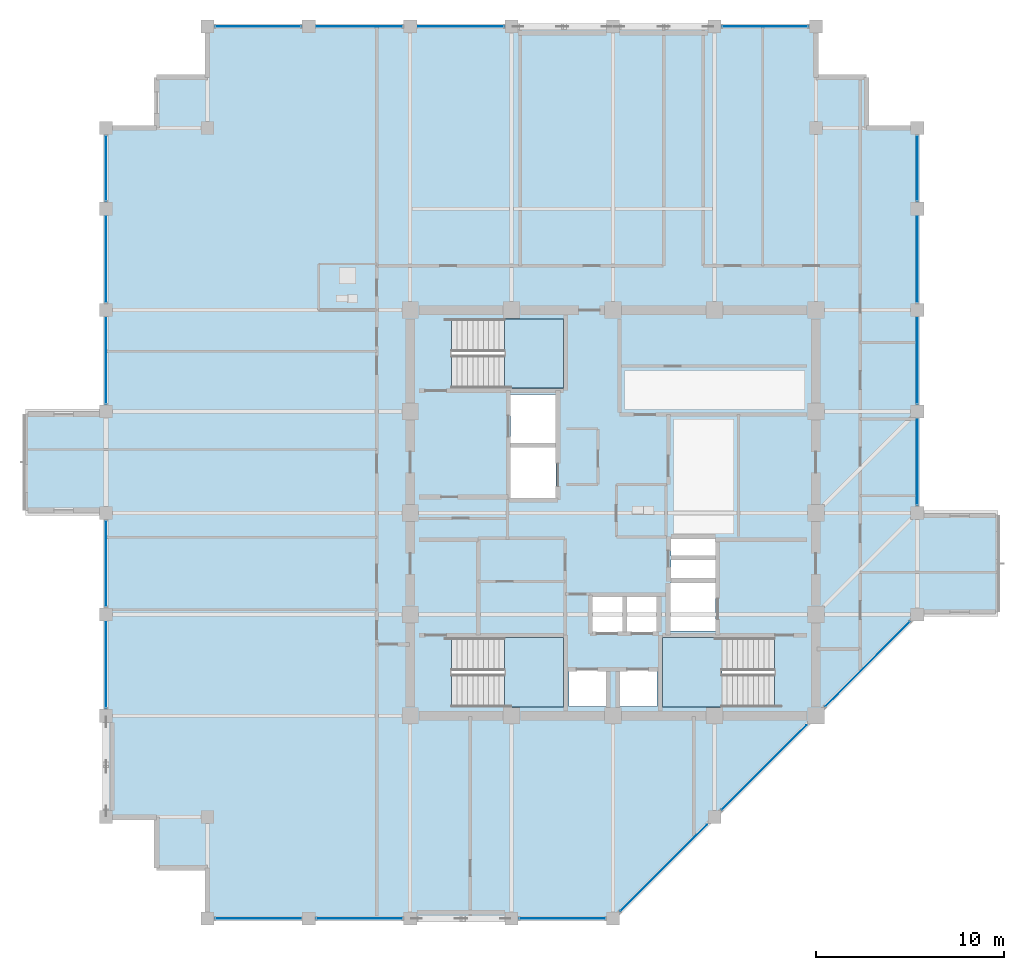
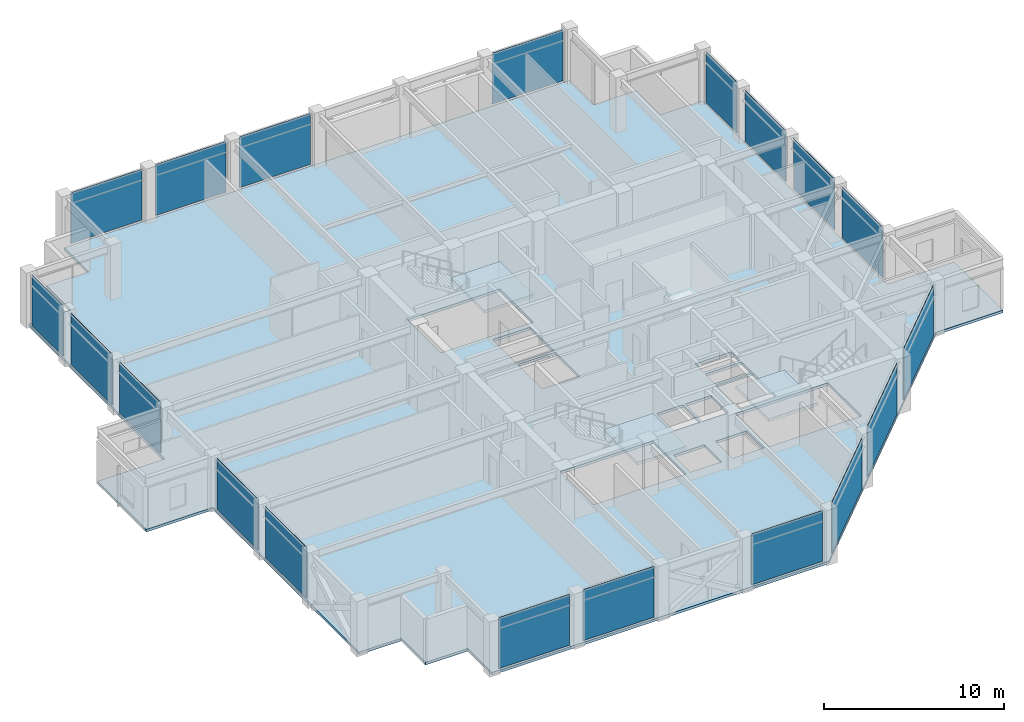
# One storey, part 22 of 31: 19 plates, 4 slabs, 11 elements without a shape of their own.
"""IFC4 building model written with IfcOpenShell, lengths in metres."""

from ifc_helpers import new_model, si_unit, direction, frame, frame_2d, origin, place, context, subcontext, project, spatial, polyline, rectangle, outline, extrude, material, layer, layer_set, type_object, element, aggregate, save


model = new_model("IFC4")

# Units and contexts
model_context = context("Model", 3, precision=1e-05, world=origin(), true_north=direction((0.0, 1.0)))
body_context = subcontext(model_context, "Body", "Model", "MODEL_VIEW")
ifc_project = project(units=[si_unit("LENGTHUNIT", "METRE"), si_unit("AREAUNIT", "SQUARE_METRE"), si_unit("VOLUMEUNIT", "CUBIC_METRE"), si_unit("PLANEANGLEUNIT", "RADIAN"), si_unit("MASSUNIT", "GRAM", prefix="KILO")], contexts=[model_context])

# Site, building, storey
site_placement = place(None, origin())
site = spatial("IfcSite", under=ifc_project, at=site_placement, CompositionType="ELEMENT")
building_placement = place(site_placement, origin())
building = spatial("IfcBuilding", under=site, at=building_placement, Name="Surkhivell Harbour Commons", CompositionType="ELEMENT")
storey_placement = place(building_placement, frame((0.0, 0.0, 318.75)))
storey = spatial("IfcBuildingStorey", under=building, at=storey_placement, Name="L83", CompositionType="ELEMENT", Elevation=318.75)

# Curtain wall, plates
ifc_material_1 = material(Name="Anodised pale-metal aluminium and insulated glazing", Category="aluminium")
ifc_layer_1 = layer(ifc_material_1, 0.175048828125)
ifc_layer_set_1 = layer_set([ifc_layer_1], Name="Anodised pale-metal aluminium and insulated glazing")
curtain_wall_type = type_object("IfcCurtainWallType", Name="CW-SYS-Z4", PredefinedType="NOTDEFINED", material=ifc_layer_set_1)
curtain_wall_1_placement = place(storey_placement, origin())
curtain_wall_1 = element("IfcCurtainWall", 1, at=curtain_wall_1_placement, inside=storey, type_object=curtain_wall_type, Name="L83 Curtain Wall CW-L83-E00S1", PredefinedType="NOTDEFINED")
ifc_material_2 = material(Name="Double-silver low-E laminated vision glass", Category="glass")
ifc_layer_2 = layer(ifc_material_2, 0.031982421875)
ifc_layer_set_2 = layer_set([ifc_layer_2], Name="Double-silver low-E laminated vision glass")
plate_type = type_object("IfcPlateType", Name="CWP-GLZ-32", PredefinedType="CURTAIN_PANEL", material=ifc_layer_set_2)
plate_1_placement = place(storey_placement, frame((-21.173095703125, -21.60009765625, 0.1298828125), z_axis=(0.0, 0.0, 1.0), x_axis=(1.0, 0.0, 0.0)))
plate_1 = element("IfcPlate", 2, at=plate_1_placement, type_object=plate_type, Name="CW-Z4 panel 1.1", PredefinedType="CURTAIN_PANEL", context=body_context, shape_type="SweptSolid", body=[
    extrude(rectangle(XDim=4.546142578125, YDim=0.031982421875, at=frame_2d((2.27294921875, 0.0))), origin(), (0.0, 0.0, 1.0), 3.440185546875),
])
plate_2_placement = place(storey_placement, frame((-15.77294921875, -21.60009765625, 0.1298828125), z_axis=(0.0, 0.0, 1.0), x_axis=(1.0, 0.0, 0.0)))
plate_2 = element("IfcPlate", 3, at=plate_2_placement, type_object=plate_type, Name="CW-Z4 panel 2.1", PredefinedType="CURTAIN_PANEL", context=body_context, shape_type="SweptSolid", body=[
    extrude(rectangle(XDim=4.5458984375, YDim=0.031982421875, at=frame_2d((2.27294921875, 0.0))), origin(), (0.0, 0.0, 1.0), 3.440185546875),
])
aggregate(curtain_wall_1, [plate_1, plate_2])

# Curtain wall, plate
curtain_wall_2_placement = place(storey_placement, origin())
curtain_wall_2 = element("IfcCurtainWall", 4, at=curtain_wall_2_placement, inside=storey, type_object=curtain_wall_type, Name="L83 Curtain Wall CW-L83-E00S2", PredefinedType="NOTDEFINED")
plate_3_placement = place(storey_placement, frame((-4.972900390625, -21.60009765625, 0.1298828125), z_axis=(0.0, 0.0, 1.0), x_axis=(1.0, 0.0, 0.0)))
plate_3 = element("IfcPlate", 5, at=plate_3_placement, type_object=plate_type, Name="CW-Z4 panel 1.1", PredefinedType="CURTAIN_PANEL", context=body_context, shape_type="SweptSolid", body=[
    extrude(rectangle(XDim=4.5458984375, YDim=0.031982421875, at=frame_2d((2.27294921875, 0.0))), origin(), (0.0, 0.0, 1.0), 3.440185546875),
])
aggregate(curtain_wall_2, [plate_3])

# Curtain wall, plates
curtain_wall_3_placement = place(storey_placement, origin())
curtain_wall_3 = element("IfcCurtainWall", 6, at=curtain_wall_3_placement, inside=storey, type_object=curtain_wall_type, Name="L83 Curtain Wall CW-L83-E01", PredefinedType="NOTDEFINED")
plate_4_placement = place(storey_placement, frame((0.404541015625, -21.1953125, 0.1298828125), z_axis=(0.0, 0.0, 1.0), x_axis=(0.707125583467, 0.707087978406, 0.0)))
plate_4 = element("IfcPlate", 7, at=plate_4_placement, type_object=plate_type, Name="CW-Z4 panel 1.1", PredefinedType="CURTAIN_PANEL", context=body_context, shape_type="SweptSolid", body=[
    extrude(rectangle(XDim=6.4921875, YDim=0.031982421875, at=frame_2d((3.24609375, 0.0))), origin(), (0.0, 0.0, 1.0), 3.440185546875),
])
plate_5_placement = place(storey_placement, frame((5.8046875, -15.79541015625, 0.1298828125), z_axis=(0.0, 0.0, 1.0), x_axis=(0.707106781187, 0.707106781187, 0.0)))
plate_5 = element("IfcPlate", 8, at=plate_5_placement, type_object=plate_type, Name="CW-Z4 panel 2.1", PredefinedType="CURTAIN_PANEL", context=body_context, shape_type="SweptSolid", body=[
    extrude(rectangle(XDim=6.350830078125, YDim=0.031982421875, at=frame_2d((3.17529296875, 0.0))), origin(), (0.0, 0.0, 1.0), 3.440185546875),
])
plate_6_placement = place(storey_placement, frame((11.3046875, -10.29541015625, 0.1298828125), z_axis=(0.0, 0.0, 1.0), x_axis=(0.707106781187, 0.707106781187, 0.0)))
plate_6 = element("IfcPlate", 9, at=plate_6_placement, type_object=plate_type, Name="CW-Z4 panel 3.1", PredefinedType="CURTAIN_PANEL", context=body_context, shape_type="SweptSolid", body=[
    extrude(rectangle(XDim=6.350830078125, YDim=0.031982421875, at=frame_2d((3.17529296875, 0.0))), origin(), (0.0, 0.0, 1.0), 3.440185546875),
])
aggregate(curtain_wall_3, [plate_4, plate_5, plate_6])

curtain_wall_4_placement = place(storey_placement, origin())
curtain_wall_4 = element("IfcCurtainWall", 10, at=curtain_wall_4_placement, inside=storey, type_object=curtain_wall_type, Name="L83 Curtain Wall CW-L83-E02R1", PredefinedType="NOTDEFINED")
plate_7_placement = place(storey_placement, frame((16.199951171875, 0.427001953125, 0.1298828125), z_axis=(0.0, 0.0, 1.0), x_axis=(0.0, 1.0, 0.0)))
plate_7 = element("IfcPlate", 11, at=plate_7_placement, type_object=plate_type, Name="CW-Z4 panel 1.1", PredefinedType="CURTAIN_PANEL", context=body_context, shape_type="SweptSolid", body=[
    extrude(rectangle(XDim=4.5458984375, YDim=0.031982421875, at=frame_2d((2.27294921875, 0.0))), origin(), (0.0, 0.0, 1.0), 3.440185546875),
])
plate_8_placement = place(storey_placement, frame((16.199951171875, 5.826904296875, 0.1298828125), z_axis=(0.0, 0.0, 1.0), x_axis=(0.0, 1.0, 0.0)))
plate_8 = element("IfcPlate", 12, at=plate_8_placement, type_object=plate_type, Name="CW-Z4 panel 2.1", PredefinedType="CURTAIN_PANEL", context=body_context, shape_type="SweptSolid", body=[
    extrude(rectangle(XDim=4.546142578125, YDim=0.031982421875, at=frame_2d((2.27294921875, 0.0))), origin(), (0.0, 0.0, 1.0), 3.440185546875),
])
plate_9_placement = place(storey_placement, frame((16.199951171875, 11.22705078125, 0.1298828125), z_axis=(0.0, 0.0, 1.0), x_axis=(0.0, 1.0, 0.0)))
plate_9 = element("IfcPlate", 13, at=plate_9_placement, type_object=plate_type, Name="CW-Z4 panel 3.1", PredefinedType="CURTAIN_PANEL", context=body_context, shape_type="SweptSolid", body=[
    extrude(rectangle(XDim=4.5458984375, YDim=0.031982421875, at=frame_2d((2.27294921875, 0.0))), origin(), (0.0, 0.0, 1.0), 3.440185546875),
])
plate_10_placement = place(storey_placement, frame((16.199951171875, 16.626953125, 0.1298828125), z_axis=(0.0, 0.0, 1.0), x_axis=(0.0, 1.0, 0.0)))
plate_10 = element("IfcPlate", 14, at=plate_10_placement, type_object=plate_type, Name="CW-Z4 panel 4.1", PredefinedType="CURTAIN_PANEL", context=body_context, shape_type="SweptSolid", body=[
    extrude(rectangle(XDim=3.446044921875, YDim=0.031982421875, at=frame_2d((1.72314453125, 0.0))), origin(), (0.0, 0.0, 1.0), 3.440185546875),
])
aggregate(curtain_wall_4, [plate_7, plate_8, plate_9, plate_10])

# Curtain wall, plate
curtain_wall_5_placement = place(storey_placement, origin())
curtain_wall_5 = element("IfcCurtainWall", 15, at=curtain_wall_5_placement, inside=storey, type_object=curtain_wall_type, Name="L83 Curtain Wall CW-L83-E07S1", PredefinedType="NOTDEFINED")
plate_11_placement = place(storey_placement, frame((10.373046875, 25.89990234375, 0.1298828125), z_axis=(0.0, 0.0, 1.0), x_axis=(-1.0, 0.0, 0.0)))
plate_11 = element("IfcPlate", 16, at=plate_11_placement, type_object=plate_type, Name="CW-Z4 panel 1.1", PredefinedType="CURTAIN_PANEL", context=body_context, shape_type="SweptSolid", body=[
    extrude(rectangle(XDim=4.546142578125, YDim=0.031982421875, at=frame_2d((2.27294921875, 0.0))), origin(), (0.0, 0.0, 1.0), 3.440185546875),
])
aggregate(curtain_wall_5, [plate_11])

# Curtain wall, plates
curtain_wall_6_placement = place(storey_placement, origin())
curtain_wall_6 = element("IfcCurtainWall", 17, at=curtain_wall_6_placement, inside=storey, type_object=curtain_wall_type, Name="L83 Curtain Wall CW-L83-E07S2", PredefinedType="NOTDEFINED")
plate_12_placement = place(storey_placement, frame((-5.826904296875, 25.89990234375, 0.1298828125), z_axis=(0.0, 0.0, 1.0), x_axis=(-1.0, 0.0, 0.0)))
plate_12 = element("IfcPlate", 18, at=plate_12_placement, type_object=plate_type, Name="CW-Z4 panel 1.1", PredefinedType="CURTAIN_PANEL", context=body_context, shape_type="SweptSolid", body=[
    extrude(rectangle(XDim=4.546142578125, YDim=0.031982421875, at=frame_2d((2.27294921875, 0.0))), origin(), (0.0, 0.0, 1.0), 3.440185546875),
])
plate_13_placement = place(storey_placement, frame((-11.22705078125, 25.89990234375, 0.1298828125), z_axis=(0.0, 0.0, 1.0), x_axis=(-1.0, 0.0, 0.0)))
plate_13 = element("IfcPlate", 19, at=plate_13_placement, type_object=plate_type, Name="CW-Z4 panel 2.1", PredefinedType="CURTAIN_PANEL", context=body_context, shape_type="SweptSolid", body=[
    extrude(rectangle(XDim=4.5458984375, YDim=0.031982421875, at=frame_2d((2.27294921875, 0.0))), origin(), (0.0, 0.0, 1.0), 3.440185546875),
])
plate_14_placement = place(storey_placement, frame((-16.626953125, 25.89990234375, 0.1298828125), z_axis=(0.0, 0.0, 1.0), x_axis=(-1.0, 0.0, 0.0)))
plate_14 = element("IfcPlate", 20, at=plate_14_placement, type_object=plate_type, Name="CW-Z4 panel 3.1", PredefinedType="CURTAIN_PANEL", context=body_context, shape_type="SweptSolid", body=[
    extrude(rectangle(XDim=4.546142578125, YDim=0.031982421875, at=frame_2d((2.27294921875, 0.0))), origin(), (0.0, 0.0, 1.0), 3.440185546875),
])
aggregate(curtain_wall_6, [plate_12, plate_13, plate_14])

curtain_wall_7_placement = place(storey_placement, origin())
curtain_wall_7 = element("IfcCurtainWall", 21, at=curtain_wall_7_placement, inside=storey, type_object=curtain_wall_type, Name="L83 Curtain Wall CW-L83-E12R1S1", PredefinedType="NOTDEFINED")
plate_15_placement = place(storey_placement, frame((-27.0, -10.373046875, 0.1298828125), z_axis=(0.0, 0.0, 1.0), x_axis=(0.0, 1.0, 0.0)))
plate_15 = element("IfcPlate", 22, at=plate_15_placement, type_object=plate_type, Name="CW-Z4 panel 1.1", PredefinedType="CURTAIN_PANEL", context=body_context, shape_type="SweptSolid", body=[
    extrude(rectangle(XDim=4.546142578125, YDim=0.031982421875, at=frame_2d((2.27294921875, 0.0))), origin(), (0.0, 0.0, 1.0), 3.440185546875),
])
plate_16_placement = place(storey_placement, frame((-27.0, -4.972900390625, 0.1298828125), z_axis=(0.0, 0.0, 1.0), x_axis=(0.0, 1.0, 0.0)))
plate_16 = element("IfcPlate", 23, at=plate_16_placement, type_object=plate_type, Name="CW-Z4 panel 2.1", PredefinedType="CURTAIN_PANEL", context=body_context, shape_type="SweptSolid", body=[
    extrude(rectangle(XDim=4.5458984375, YDim=0.031982421875, at=frame_2d((2.27294921875, 0.0))), origin(), (0.0, 0.0, 1.0), 3.440185546875),
])
aggregate(curtain_wall_7, [plate_15, plate_16])

curtain_wall_8_placement = place(storey_placement, origin())
curtain_wall_8 = element("IfcCurtainWall", 24, at=curtain_wall_8_placement, inside=storey, type_object=curtain_wall_type, Name="L83 Curtain Wall CW-L83-E12R2", PredefinedType="NOTDEFINED")
plate_17_placement = place(storey_placement, frame((-27.0, 5.826904296875, 0.1298828125), z_axis=(0.0, 0.0, 1.0), x_axis=(0.0, 1.0, 0.0)))
plate_17 = element("IfcPlate", 25, at=plate_17_placement, type_object=plate_type, Name="CW-Z4 panel 1.1", PredefinedType="CURTAIN_PANEL", context=body_context, shape_type="SweptSolid", body=[
    extrude(rectangle(XDim=4.546142578125, YDim=0.031982421875, at=frame_2d((2.27294921875, 0.0))), origin(), (0.0, 0.0, 1.0), 3.440185546875),
])
plate_18_placement = place(storey_placement, frame((-27.0, 11.22705078125, 0.1298828125), z_axis=(0.0, 0.0, 1.0), x_axis=(0.0, 1.0, 0.0)))
plate_18 = element("IfcPlate", 26, at=plate_18_placement, type_object=plate_type, Name="CW-Z4 panel 2.1", PredefinedType="CURTAIN_PANEL", context=body_context, shape_type="SweptSolid", body=[
    extrude(rectangle(XDim=4.5458984375, YDim=0.031982421875, at=frame_2d((2.27294921875, 0.0))), origin(), (0.0, 0.0, 1.0), 3.440185546875),
])
plate_19_placement = place(storey_placement, frame((-27.0, 16.626953125, 0.1298828125), z_axis=(0.0, 0.0, 1.0), x_axis=(0.0, 1.0, 0.0)))
plate_19 = element("IfcPlate", 27, at=plate_19_placement, type_object=plate_type, Name="CW-Z4 panel 3.1", PredefinedType="CURTAIN_PANEL", context=body_context, shape_type="SweptSolid", body=[
    extrude(rectangle(XDim=3.446044921875, YDim=0.031982421875, at=frame_2d((1.72314453125, 0.0))), origin(), (0.0, 0.0, 1.0), 3.440185546875),
])
aggregate(curtain_wall_8, [plate_17, plate_18, plate_19])

# Stair, slab
ifc_material_3 = material(Name="Precast concrete C45/55", Category="concrete")
stair_type = type_object("IfcStairType", Name="STR-DL-375", PredefinedType="HALF_TURN_STAIR", material=ifc_material_3)
stair_1_placement = place(storey_placement, origin())
stair_1 = element("IfcStair", 28, at=stair_1_placement, inside=storey, type_object=stair_type, Name="L83 Core Exit Stair ST1", PredefinedType="HALF_TURN_STAIR")
ifc_material_4 = material(Name="Reinforced concrete C45/55", Category="concrete")
ifc_layer_3 = layer(ifc_material_4, 0.199951171875)
ifc_layer_set_3 = layer_set([ifc_layer_3], Name="Reinforced concrete C45/55")
slab_type_1 = type_object("IfcSlabType", Name="SLB-ST-LND200", PredefinedType="LANDING", material=ifc_layer_set_3)
slab_1_placement = place(storey_placement, frame((0.0, 0.0, 1.675048828125)))
slab_1 = element("IfcSlab", 29, at=slab_1_placement, type_object=slab_type_1, Name="ST1 landing 1", PredefinedType="LANDING", context=body_context, shape_type="SweptSolid", body=[
    extrude(outline(polyline([(-5.7900390625, 6.639892578125), (-2.639892578125, 6.639892578125), (-2.639892578125, 10.340087890625), (-5.7900390625, 10.340087890625), (-5.7900390625, 6.639892578125)])), origin(), (0.0, 0.0, 1.0), 0.199951171875),
])
aggregate(stair_1, [slab_1])

stair_2_placement = place(storey_placement, origin())
stair_2 = element("IfcStair", 30, at=stair_2_placement, inside=storey, type_object=stair_type, Name="L83 Core Exit Stair ST2", PredefinedType="HALF_TURN_STAIR")
slab_2_placement = place(storey_placement, frame((0.0, 0.0, 1.675048828125)))
slab_2 = element("IfcSlab", 31, at=slab_2_placement, type_object=slab_type_1, Name="ST2 landing 1", PredefinedType="LANDING", context=body_context, shape_type="SweptSolid", body=[
    extrude(outline(polyline([(5.7900390625, -6.639892578125), (2.639892578125, -6.639892578125), (2.639892578125, -10.340087890625), (5.7900390625, -10.340087890625), (5.7900390625, -6.639892578125)])), origin(), (0.0, 0.0, 1.0), 0.199951171875),
])
aggregate(stair_2, [slab_2])

stair_3_placement = place(storey_placement, origin())
stair_3 = element("IfcStair", 32, at=stair_3_placement, inside=storey, type_object=stair_type, Name="L83 Core Exit Stair ST3", PredefinedType="HALF_TURN_STAIR")
slab_3_placement = place(storey_placement, frame((0.0, 0.0, 1.675048828125)))
slab_3 = element("IfcSlab", 33, at=slab_3_placement, type_object=slab_type_1, Name="ST3 landing 1", PredefinedType="LANDING", context=body_context, shape_type="SweptSolid", body=[
    extrude(outline(polyline([(-5.7900390625, -10.340087890625), (-2.639892578125, -10.340087890625), (-2.639892578125, -6.639892578125), (-5.7900390625, -6.639892578125), (-5.7900390625, -10.340087890625)])), origin(), (0.0, 0.0, 1.0), 0.199951171875),
])
aggregate(stair_3, [slab_3])

# Slab
ifc_material_5 = material(Name="Concrete C45/55", Category="concrete")
ifc_layer_4 = layer(ifc_material_5, 0.179931640625)
ifc_layer_set_4 = layer_set([ifc_layer_4], Name="Concrete C45/55")
slab_type_2 = type_object("IfcSlabType", Name="SLB-TYP-180", PredefinedType="FLOOR", material=ifc_layer_set_4)
slab_4_placement = place(storey_placement, frame((0.0, 0.0, -0.179931640625)))
element("IfcSlab", 34, at=slab_4_placement, inside=storey, type_object=slab_type_2, Name="L83 Structural Floor Slab", PredefinedType="FLOOR", context=body_context, shape_type="SweptSolid", body=[
    extrude(outline(polyline([(-27.0, 20.5), (-27.0, 5.39990234375), (-31.300048828125, 5.39990234375), (-31.300048828125, 0.0), (-27.0, 0.0), (-27.0, -16.199951171875), (-24.300048828125, -16.199951171875), (-24.300048828125, -18.89990234375), (-21.60009765625, -18.89990234375), (-21.60009765625, -21.60009765625), (0.0, -21.60009765625), (16.199951171875, -5.39990234375), (20.5, -5.39990234375), (20.5, 0.0), (16.199951171875, 0.0), (16.199951171875, 20.5), (13.5, 20.5), (13.5, 23.199951171875), (10.800048828125, 23.199951171875), (10.800048828125, 25.89990234375), (-21.60009765625, 25.89990234375), (-21.60009765625, 23.199951171875), (-24.300048828125, 23.199951171875), (-24.300048828125, 20.5), (-27.0, 20.5)]), holes=[polyline([(-8.590087890625, 6.639892578125), (-2.639892578125, 6.639892578125), (-2.639892578125, 10.340087890625), (-8.590087890625, 10.340087890625), (-8.590087890625, 6.639892578125)]), polyline([(8.590087890625, -6.639892578125), (2.639892578125, -6.639892578125), (2.639892578125, -10.340087890625), (8.590087890625, -10.340087890625), (8.590087890625, -6.639892578125)]), polyline([(-8.590087890625, -10.340087890625), (-2.639892578125, -10.340087890625), (-2.639892578125, -6.639892578125), (-8.590087890625, -6.639892578125), (-8.590087890625, -10.340087890625)]), polyline([(-1.14990234375, -6.35009765625), (0.550048828125, -6.35009765625), (0.550048828125, -4.449951171875), (-1.14990234375, -4.449951171875), (-1.14990234375, -6.35009765625)]), polyline([(0.679931640625, -6.35009765625), (2.3798828125, -6.35009765625), (2.3798828125, -4.449951171875), (0.679931640625, -4.449951171875), (0.679931640625, -6.35009765625)]), polyline([(-2.35009765625, -10.300048828125), (-0.35009765625, -10.300048828125), (-0.35009765625, -8.39990234375), (-2.35009765625, -8.39990234375), (-2.35009765625, -10.300048828125)]), polyline([(0.35009765625, -10.300048828125), (2.35009765625, -10.300048828125), (2.35009765625, -8.39990234375), (0.35009765625, -8.39990234375), (0.35009765625, -10.300048828125)]), polyline([(-5.449951171875, 3.699951171875), (-3.050048828125, 3.699951171875), (-3.050048828125, 6.300048828125), (-5.449951171875, 6.300048828125), (-5.449951171875, 3.699951171875)]), polyline([(3.050048828125, -6.300048828125), (5.449951171875, -6.300048828125), (5.449951171875, -3.699951171875), (3.050048828125, -3.699951171875), (3.050048828125, -6.300048828125)]), polyline([(-5.449951171875, 0.800048828125), (-3.050048828125, 0.800048828125), (-3.050048828125, 3.5), (-5.449951171875, 3.5), (-5.449951171875, 0.800048828125)]), polyline([(3.10009765625, -3.550048828125), (5.449951171875, -3.550048828125), (5.449951171875, -2.47998046875), (3.10009765625, -2.47998046875), (3.10009765625, -3.550048828125)]), polyline([(3.10009765625, -2.280029296875), (5.449951171875, -2.280029296875), (5.449951171875, -1.35009765625), (3.10009765625, -1.35009765625), (3.10009765625, -2.280029296875)])]), origin(), (0.0, 0.0, 1.0), 0.179931640625),
])

save(model, "model.ifc")
